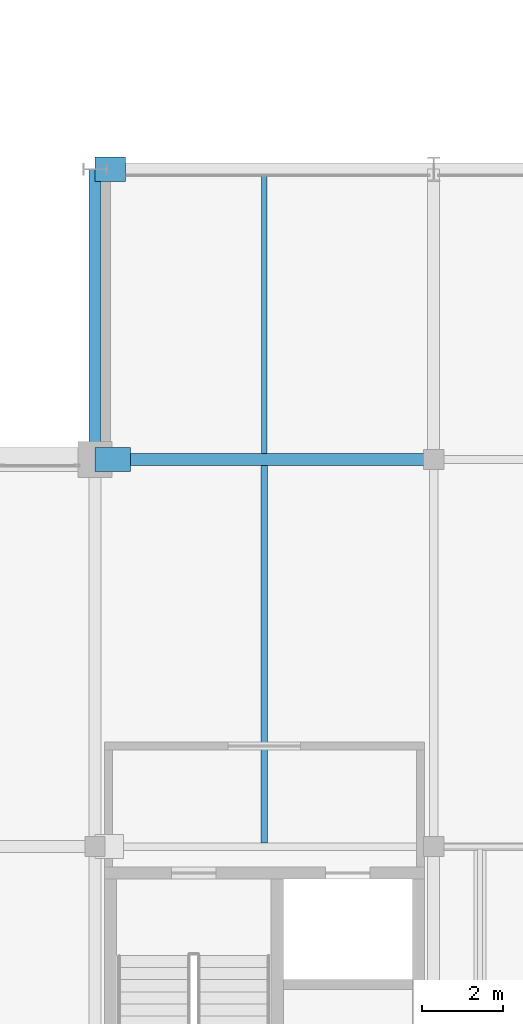
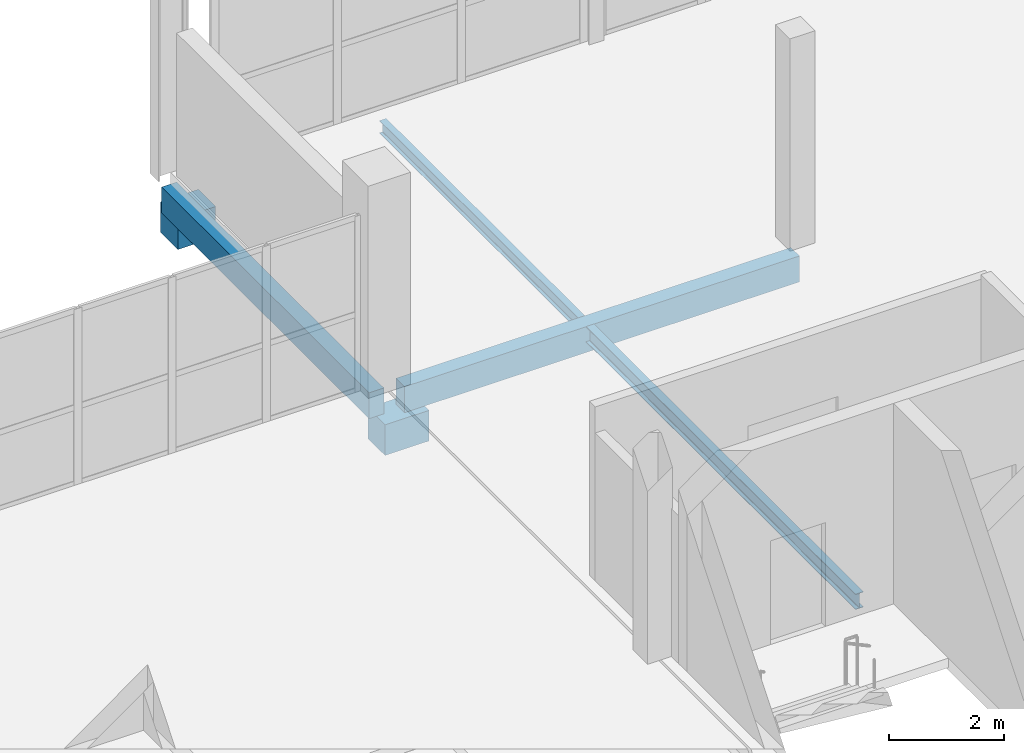
# One storey, part 42 of 109: 6 beams.
"""IFC4 building model written with IfcOpenShell, lengths in metres."""

from ifc_helpers import new_model, si_unit, direction, frame, origin, origin_2d, place, context, subcontext, project, spatial, rectangle, i_section, extrude, material, material_profile, profile_set, type_object, element, save


model = new_model("IFC4")

# Units and contexts
model_context = context("Model", 3, precision=1e-05, world=origin(), true_north=direction((0.0, 1.0)))
body_context = subcontext(model_context, "Body", "Model", "MODEL_VIEW")
ifc_project = project(units=[si_unit("LENGTHUNIT", "METRE"), si_unit("AREAUNIT", "SQUARE_METRE"), si_unit("VOLUMEUNIT", "CUBIC_METRE"), si_unit("PLANEANGLEUNIT", "RADIAN"), si_unit("MASSUNIT", "GRAM", prefix="KILO")], contexts=[model_context])

# Site, building, storey
site_placement = place(None, origin())
site = spatial("IfcSite", under=ifc_project, at=site_placement, CompositionType="ELEMENT")
building_placement = place(site_placement, origin())
building = spatial("IfcBuilding", under=site, at=building_placement, Name="Veltarok Museum of Natural Sciences", CompositionType="ELEMENT")
storey_placement = place(building_placement, frame((0.0, 0.0, 17.39990234375)))
storey = spatial("IfcBuildingStorey", under=building, at=storey_placement, Name="L03", CompositionType="ELEMENT", Elevation=17.39990234375)

# Beams
ifc_material_1 = material(Name="Precast concrete C40/50", Category="concrete")
ifc_material_profile_1 = material_profile(ifc_material_1, rectangle(XDim=0.300048828125, YDim=0.550048828125, at=origin_2d()), Name="RC 300x550")
ifc_profile_set_1 = profile_set([ifc_material_profile_1], Name="Precast concrete C40/50")
beam_type_1 = type_object("IfcBeamType", Name="East Wing Precast Spandrel RC 300x550", PredefinedType="SPANDREL", material=ifc_profile_set_1)
beam_1_placement = place(storey_placement, frame((107.675048828125, 19.199951171875, -0.52490234375), z_axis=(1.0, 0.0, 0.0), x_axis=(0.0, 1.0, 0.0)))
element("IfcBeam", 1, at=beam_1_placement, inside=storey, type_object=beam_type_1, Name="Beam BM-SP02 L03 13-14/C", PredefinedType="SPANDREL", context=body_context, shape_type="SweptSolid", body=[
    extrude(rectangle(XDim=0.300048828125, YDim=0.550048828125, at=origin_2d()), origin(), (0.0, 0.0, 1.0), 7.925048828125),
])
beam_2_placement = place(storey_placement, frame((107.199951171875, 19.199951171875, -0.52490234375), z_axis=(0.0, 1.0, 0.0), x_axis=(-1.0, 0.0, 0.0)))
element("IfcBeam", 2, at=beam_2_placement, inside=storey, type_object=beam_type_1, Name="Beam BM-SP02 L03 13/C-D", PredefinedType="SPANDREL", context=body_context, shape_type="SweptSolid", body=[
    extrude(rectangle(XDim=0.300048828125, YDim=0.550048828125, at=origin_2d()), origin(), (0.0, 0.0, 1.0), 7.199951171875),
])
ifc_material_2 = material(Name="Steel S355J2", Category="steel")
ifc_material_profile_2 = material_profile(ifc_material_2, i_section(OverallWidth=0.159912109375, OverallDepth=0.330078125, WebThickness=0.007568359375, FlangeThickness=0.011474609375, FilletRadius=0.01806640625, at=origin_2d()), Name="IPE 330")
ifc_profile_set_2 = profile_set([ifc_material_profile_2], Name="Steel S355J2")
beam_type_2 = type_object("IfcBeamType", Name="Medium-Bay Composite Joist IPE 330", PredefinedType="JOIST", material=ifc_profile_set_2)
beam_3_placement = place(storey_placement, frame((111.39990234375, 9.693115234375, -0.414794921875), z_axis=(0.0, 1.0, 0.0), x_axis=(-1.0, 0.0, 0.0)))
element("IfcBeam", 3, at=beam_3_placement, inside=storey, type_object=beam_type_2, Name="Secondary Joist BM-J02 L03 13-14/B-C.1", PredefinedType="JOIST", context=body_context, shape_type="SweptSolid", body=[
    extrude(i_section(OverallWidth=0.159912109375, OverallDepth=0.330078125, WebThickness=0.007568359375, FlangeThickness=0.011474609375, FilletRadius=0.01806640625, at=origin_2d()), origin(), (0.0, 0.0, 1.0), 9.35888671875),
])
ifc_material_3 = material(Name="Concrete C40/50", Category="concrete")
ifc_material_profile_3 = material_profile(ifc_material_3, rectangle(XDim=0.60009765625, YDim=0.64990234375, at=origin_2d()), Name="RC 600x650")
ifc_profile_set_3 = profile_set([ifc_material_profile_3], Name="Concrete C40/50")
beam_type_3 = type_object("IfcBeamType", Name="Movement Joint Sliding Corbel RC 600x650", PredefinedType="BEAM", material=ifc_profile_set_3)
beam_4_placement = place(storey_placement, frame((107.199951171875, 19.199951171875, -1.125), z_axis=(1.0, 0.0, 0.0), x_axis=(0.0, 1.0, 0.0)))
element("IfcBeam", 4, at=beam_4_placement, inside=storey, type_object=beam_type_3, Name="Movement Joint Corbel L03 13/C", PredefinedType="BEAM", context=body_context, shape_type="SweptSolid", body=[
    extrude(rectangle(XDim=0.60009765625, YDim=0.64990234375, at=origin_2d()), origin(), (0.0, 0.0, 1.0), 0.885009765625),
])
beam_5_placement = place(storey_placement, frame((107.199951171875, 26.39990234375, -1.125), z_axis=(1.0, 0.0, 0.0), x_axis=(0.0, 1.0, 0.0)))
element("IfcBeam", 5, at=beam_5_placement, inside=storey, type_object=beam_type_3, Name="Movement Joint Corbel L03 13/D", PredefinedType="BEAM", context=body_context, shape_type="SweptSolid", body=[
    extrude(rectangle(XDim=0.60009765625, YDim=0.64990234375, at=origin_2d()), origin(), (0.0, 0.0, 1.0), 0.760009765625),
])
ifc_material_profile_4 = material_profile(ifc_material_2, i_section(OverallWidth=0.135009765625, OverallDepth=0.27001953125, WebThickness=0.006591796875, FlangeThickness=0.01025390625, FilletRadius=0.014892578125, at=origin_2d()), Name="IPE 270")
ifc_profile_set_4 = profile_set([ifc_material_profile_4], Name="Steel S355J2")
beam_type_4 = type_object("IfcBeamType", Name="Short-Bay Composite Joist IPE 270", PredefinedType="JOIST", material=ifc_profile_set_4)
beam_6_placement = place(storey_placement, frame((111.39990234375, 19.347900390625, -0.385009765625), z_axis=(0.0, 1.0, 0.0), x_axis=(-1.0, 0.0, 0.0)))
element("IfcBeam", 6, at=beam_6_placement, inside=storey, type_object=beam_type_4, Name="Secondary Joist BM-J04 L03 13-14/C-D.1", PredefinedType="JOIST", context=body_context, shape_type="SweptSolid", body=[
    extrude(i_section(OverallWidth=0.135009765625, OverallDepth=0.27001953125, WebThickness=0.006591796875, FlangeThickness=0.01025390625, FilletRadius=0.014892578125, at=origin_2d()), origin(), (0.0, 0.0, 1.0), 6.904052734375),
])

save(model, "model.ifc")
